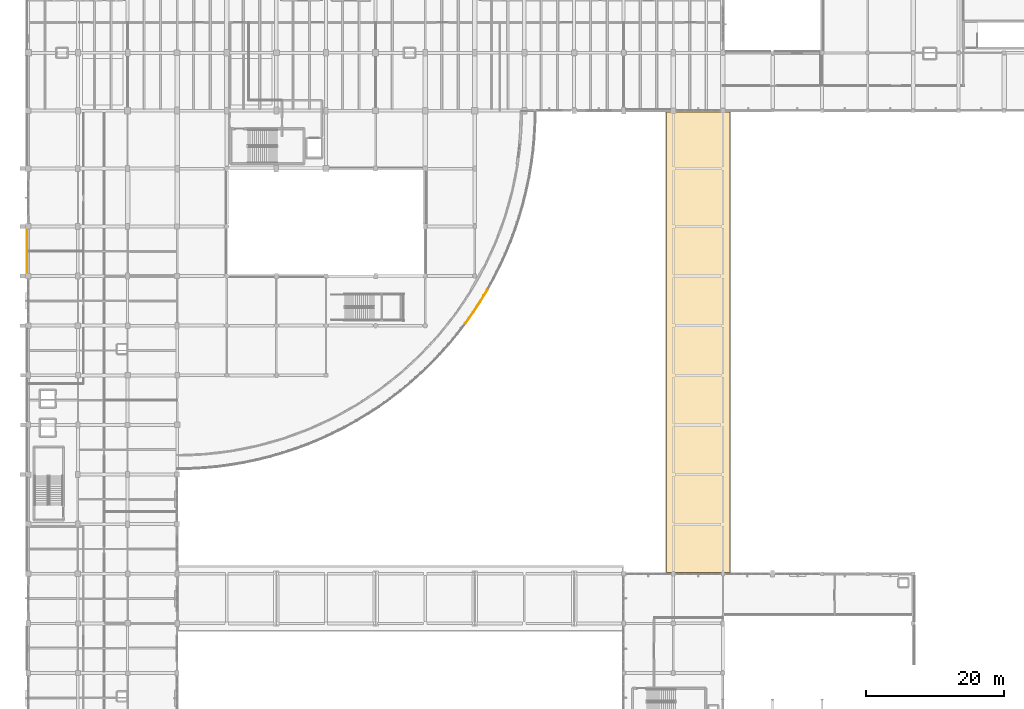
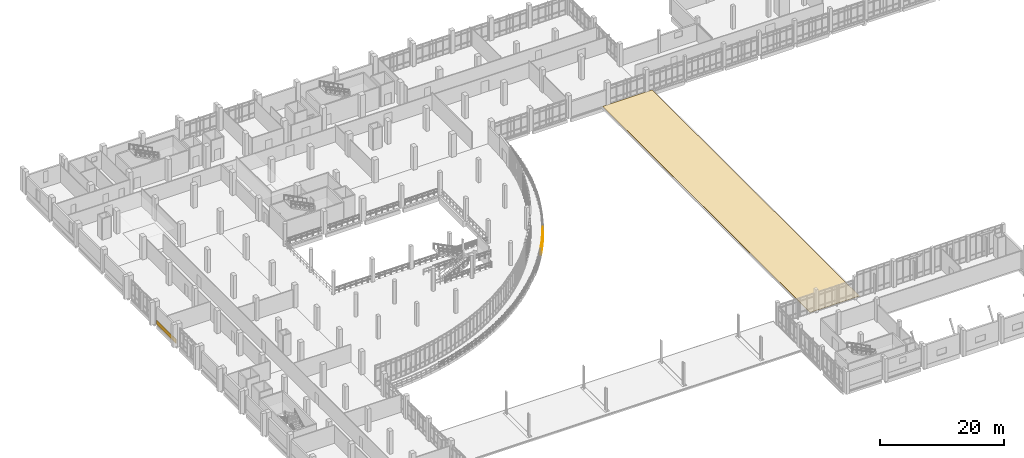
# One storey, part 127 of 134: 5 coverings, 3 railings.
"""IFC4 building model written with IfcOpenShell, lengths in metres."""

from ifc_helpers import new_model, si_unit, direction, frame, origin, origin_2d, place, context, subcontext, project, spatial, polyline, rectangle, circle, outline, extrude, material, layer, layer_set, type_object, element, save


model = new_model("IFC4")

# Units and contexts
model_context = context("Model", 3, precision=1e-05, world=origin(), true_north=direction((0.0, 1.0)))
body_context = subcontext(model_context, "Body", "Model", "MODEL_VIEW")
ifc_project = project(units=[si_unit("LENGTHUNIT", "METRE"), si_unit("AREAUNIT", "SQUARE_METRE"), si_unit("VOLUMEUNIT", "CUBIC_METRE"), si_unit("PLANEANGLEUNIT", "RADIAN"), si_unit("MASSUNIT", "GRAM", prefix="KILO")], contexts=[model_context])

# Site, building, storey
site_placement = place(None, origin())
site = spatial("IfcSite", under=ifc_project, at=site_placement, CompositionType="ELEMENT")
building_placement = place(site_placement, origin())
building = spatial("IfcBuilding", under=site, at=building_placement, Name="Kalluvel Institute of Natural Sciences", CompositionType="ELEMENT")
storey_placement = place(building_placement, frame((0.0, 0.0, 5.39990234375)))
storey = spatial("IfcBuildingStorey", under=building, at=storey_placement, Name="L01", CompositionType="ELEMENT", Elevation=5.39990234375)

# Coverings
ifc_material_1 = material(Name="Sadarahalli Grey Granite Ashlar Concrete M40", Category="masonry")
ifc_layer_1 = layer(ifc_material_1, 0.044921875)
ifc_layer_set_1 = layer_set([ifc_layer_1], Name="Sadarahalli Grey Granite Ashlar Concrete M40")
covering_type_1 = type_object("IfcCoveringType", Name="COV-CLAD-STONE", PredefinedType="CLADDING", material=ifc_layer_set_1)
covering_1_placement = place(storey_placement, frame((13.830078125, 82.39990234375, 0.025146484375), z_axis=(0.0, 0.0, 1.0), x_axis=(0.0, 1.0, 0.0)))
element("IfcCovering", 1, at=covering_1_placement, inside=storey, type_object=covering_type_1, Name="L01 Sadarahalli granite plinth spandrel cladding 144", PredefinedType="CLADDING", context=body_context, shape_type="SweptSolid", body=[
    extrude(rectangle(XDim=6.239990234375, YDim=0.044921875, at=origin_2d()), origin(), (0.0, 0.0, 1.0), 0.85009765625),
])
for number, where, z_axis, x_axis, name in (
    (2, (78.010009765625, 72.70849609375, -0.31982421875), (0.0, 0.0, 1.0), (0.578711964667, 0.815532011604, 0.0), "L01 curved terrace Sadarahalli stone spandrel fascia 228"),
    (3, (79.10546875, 74.3154296875, -0.31982421875), (0.0, 0.0, 1.0), (0.547855275974, 0.836573126862, 0.0), "L01 curved terrace Sadarahalli stone spandrel fascia 229"),
    (4, (80.14013671875, 75.9619140625, -0.31982421875), (0.0, 0.0, 1.0), (0.516084917685, 0.856537423431, 0.0), "L01 curved terrace Sadarahalli stone spandrel fascia 230"),
):
    element("IfcCovering", number, at=place(storey_placement, frame(where, z_axis=z_axis, x_axis=x_axis)), inside=storey, type_object=covering_type_1, Name=name, PredefinedType="CLADDING", context=body_context, shape_type="SweptSolid", body=[
        extrude(rectangle(XDim=1.90478515625, YDim=0.054931640625, at=origin_2d()), origin(), (0.0, 0.0, 1.0), 0.47998046875),
    ])
ifc_material_2 = material(Name="SBS Polymer-Modified Bitumen Waterproofing", Category="bitumen")
ifc_layer_2 = layer(ifc_material_2, 0.06005859375)
ifc_layer_set_2 = layer_set([ifc_layer_2], Name="SBS Polymer-Modified Bitumen Waterproofing")
covering_type_2 = type_object("IfcCoveringType", Name="COV-ROOF-SBS", PredefinedType="ROOFING", material=ifc_layer_set_2)
covering_2_placement = place(storey_placement, origin())
element("IfcCovering", 5, at=covering_2_placement, inside=storey, type_object=covering_type_2, Name="L01 SBS roof waterproofing build-up RM-L01-COL2", PredefinedType="ROOFING", context=body_context, shape_type="SweptSolid", body=[
    extrude(outline(polyline([(106.60009765625, 35.800048828125), (115.800048828125, 35.800048828125), (115.800048828125, 102.60009765625), (106.60009765625, 102.60009765625), (106.60009765625, 35.800048828125)])), origin(), (0.0, 0.0, 1.0), 0.06005859375),
])

# Railings
ifc_material_3 = material(Name="Steel E350 Grade 350", Category="steel")
railing_type = type_object("IfcRailingType", Name="RL-BAL-EXT", PredefinedType="BALUSTRADE", material=ifc_material_3)
railing_1_placement = place(storey_placement, frame((77.3828125, 71.962890625, 0.0)))
element("IfcRailing", 6, at=railing_1_placement, inside=storey, type_object=railing_type, Name="L01 curved atrium terrace balustrade", PredefinedType="BALUSTRADE", context=body_context, shape_type="SweptSolid", body=[
    extrude(circle(Radius=0.02392578125, at=origin_2d()), frame((0.0, 0.0, 1.09619140625), z_axis=(0.578631036126, 0.815589433497, 0.0), x_axis=(-0.815589433497, 0.578631036126, 0.0)), (0.0, 0.0, 1.0), 1.942138671875),
    extrude(circle(Radius=0.02392578125, at=origin_2d()), frame((0.0, 0.0, 0.56005859375), z_axis=(0.578631036126, 0.815589433497, 0.0), x_axis=(-0.815589433497, 0.578631036126, 0.0)), (0.0, 0.0, 1.0), 1.942138671875),
    extrude(circle(Radius=0.02099609375, at=origin_2d()), origin(), (0.0, 0.0, 1.0), 1.072021484375),
    extrude(circle(Radius=0.02099609375, at=origin_2d()), frame((0.56201171875, 0.7919921875, 0.0)), (0.0, 0.0, 1.0), 1.072021484375),
    extrude(circle(Radius=0.02099609375, at=origin_2d()), frame((1.123779296875, 1.583984375, 0.0)), (0.0, 0.0, 1.0), 1.072021484375),
])
railing_2_placement = place(storey_placement, frame((78.506591796875, 73.546875, 0.0)))
element("IfcRailing", 7, at=railing_2_placement, inside=storey, type_object=railing_type, Name="L01 curved atrium terrace balustrade", PredefinedType="BALUSTRADE", context=body_context, shape_type="SweptSolid", body=[
    extrude(circle(Radius=0.02392578125, at=origin_2d()), frame((0.0, 0.0, 1.09619140625), z_axis=(0.547804798826, 0.836606181177, 0.0), x_axis=(-0.836606181177, 0.547804798826, 0.0)), (0.0, 0.0, 1.0), 1.94189453125),
    extrude(circle(Radius=0.02392578125, at=origin_2d()), frame((0.0, 0.0, 0.56005859375), z_axis=(0.547804798826, 0.836606181177, 0.0), x_axis=(-0.836606181177, 0.547804798826, 0.0)), (0.0, 0.0, 1.0), 1.94189453125),
    extrude(circle(Radius=0.02099609375, at=origin_2d()), origin(), (0.0, 0.0, 1.0), 1.072021484375),
    extrude(circle(Radius=0.02099609375, at=origin_2d()), frame((0.53173828125, 0.812255859375, 0.0)), (0.0, 0.0, 1.0), 1.072021484375),
    extrude(circle(Radius=0.02099609375, at=origin_2d()), frame((1.063720703125, 1.62451171875, 0.0)), (0.0, 0.0, 1.0), 1.072021484375),
])
railing_3_placement = place(storey_placement, frame((79.5703125, 75.17138671875, 0.0)))
element("IfcRailing", 8, at=railing_3_placement, inside=storey, type_object=railing_type, Name="L01 curved atrium terrace balustrade", PredefinedType="BALUSTRADE", context=body_context, shape_type="SweptSolid", body=[
    extrude(circle(Radius=0.02392578125, at=origin_2d()), frame((0.0, 0.0, 1.09619140625), z_axis=(0.516121527112, 0.856515364282, 0.0), x_axis=(-0.856515364282, 0.516121527112, 0.0)), (0.0, 0.0, 1.0), 1.942138671875),
    extrude(circle(Radius=0.02392578125, at=origin_2d()), frame((0.0, 0.0, 0.56005859375), z_axis=(0.516121527112, 0.856515364282, 0.0), x_axis=(-0.856515364282, 0.516121527112, 0.0)), (0.0, 0.0, 1.0), 1.942138671875),
    extrude(circle(Radius=0.02099609375, at=origin_2d()), origin(), (0.0, 0.0, 1.0), 1.072021484375),
    extrude(circle(Radius=0.02099609375, at=origin_2d()), frame((0.501220703125, 0.831787109375, 0.0)), (0.0, 0.0, 1.0), 1.072021484375),
    extrude(circle(Radius=0.02099609375, at=origin_2d()), frame((1.00244140625, 1.66357421875, 0.0)), (0.0, 0.0, 1.0), 1.072021484375),
])

save(model, "model.ifc")
